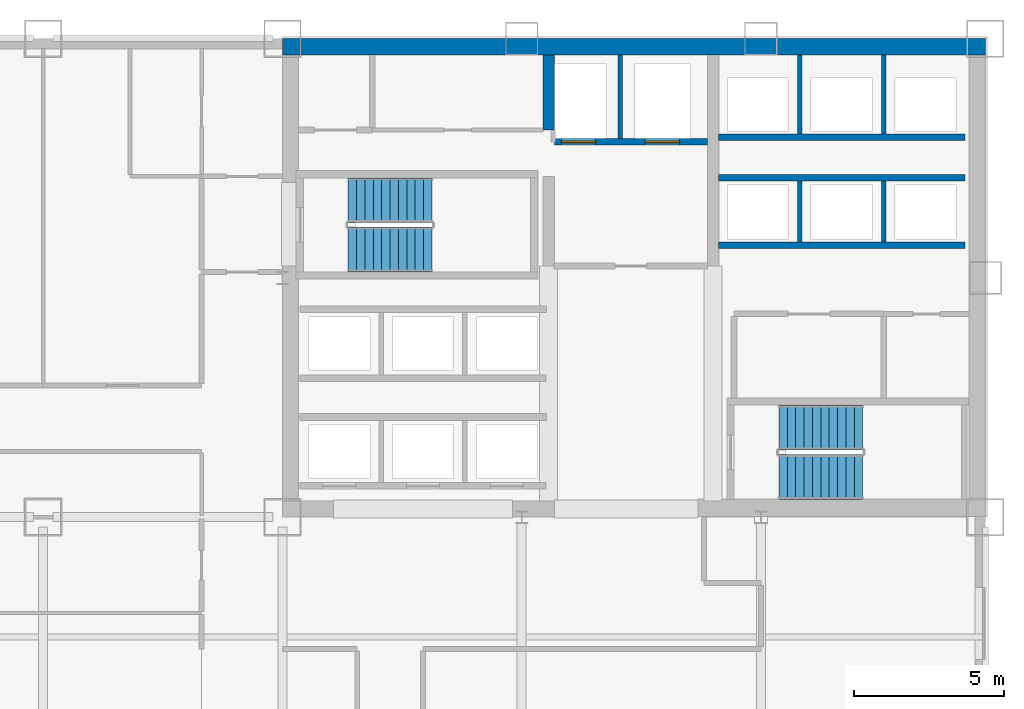
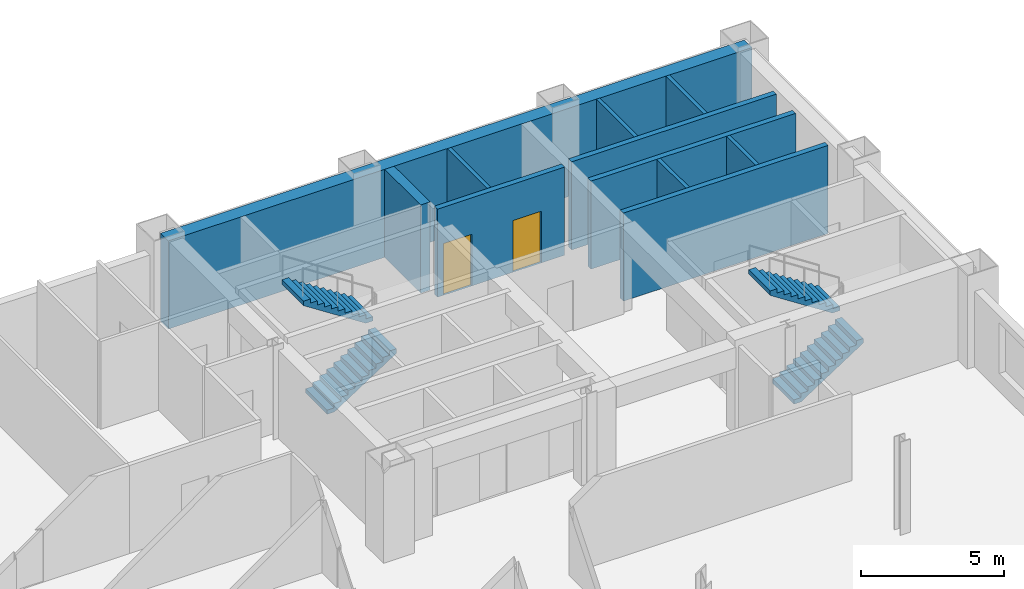
# One storey, part 7 of 9: 11 walls, 4 stair flights, 2 doors, 2 openings, 2 elements without a shape of their own.
"""IFC4 building model written with IfcOpenShell, lengths in metres."""

from ifc_helpers import new_model, si_unit, direction, frame, frame_2d, origin, place, context, subcontext, project, spatial, polyline, rectangle, outline, extrude, material, layer, layer_set, type_object, element, fill, aggregate, save


model = new_model("IFC4")

# Units and contexts
model_context = context("Model", 3, precision=1e-05, world=origin(), true_north=direction((0.0, 1.0)))
body_context = subcontext(model_context, "Body", "Model", "MODEL_VIEW")
ifc_project = project(units=[si_unit("LENGTHUNIT", "METRE"), si_unit("AREAUNIT", "SQUARE_METRE"), si_unit("VOLUMEUNIT", "CUBIC_METRE"), si_unit("PLANEANGLEUNIT", "RADIAN"), si_unit("MASSUNIT", "GRAM", prefix="KILO")], contexts=[model_context])

# Site, building, storey
site_placement = place(None, origin())
site = spatial("IfcSite", under=ifc_project, at=site_placement, CompositionType="ELEMENT")
building_placement = place(site_placement, origin())
building = spatial("IfcBuilding", under=site, at=building_placement, Name="Qianrong Seaharbour Tower", CompositionType="ELEMENT")
storey_placement = place(building_placement, frame((0.0, 0.0, 48.199951171875)))
storey = spatial("IfcBuildingStorey", under=building, at=storey_placement, Name="L11", CompositionType="ELEMENT", Elevation=48.199951171875)

# Walls
ifc_material_1 = material(Name="Concrete C70/85", Category="concrete")
ifc_layer_1 = layer(ifc_material_1, 0.5400390625)
ifc_layer_set_1 = layer_set([ifc_layer_1], Name="Concrete C70/85")
wall_type_1 = type_object("IfcWallType", Name="WALL-CORE-540", PredefinedType="SHEAR", material=ifc_layer_set_1)
wall_1_placement = place(storey_placement, frame((40.5, 51.72998046875, 0.0), z_axis=(0.0, 0.0, 1.0), x_axis=(1.0, 0.0, 0.0)))
element("IfcWall", 1, at=wall_1_placement, inside=storey, type_object=wall_type_1, Name="L11 North Core Shear Wall", PredefinedType="SHEAR", context=body_context, shape_type="SweptSolid", body=[
    extrude(rectangle(XDim=23.5, YDim=0.5400390625, at=frame_2d((11.75, 0.0))), origin(), (0.0, 0.0, 1.0), 3.75),
])
ifc_material_2 = material(Name="Concrete C60/75", Category="concrete")
ifc_layer_2 = layer(ifc_material_2, 0.3798828125)
ifc_layer_set_2 = layer_set([ifc_layer_2], Name="Concrete C60/75")
wall_type_2 = type_object("IfcWallType", Name="WALL-CORE-INT-380", PredefinedType="SHEAR", material=ifc_layer_set_2)
wall_2_placement = place(storey_placement, frame((49.39990234375, 48.949951171875, 0.0), z_axis=(0.0, 0.0, 1.0), x_axis=(0.0, 1.0, 0.0)))
element("IfcWall", 2, at=wall_2_placement, inside=storey, type_object=wall_type_2, Name="L11 Internal Core Shear Wall IW1N2", PredefinedType="SHEAR", context=body_context, shape_type="SweptSolid", body=[
    extrude(rectangle(XDim=2.510009765625, YDim=0.3798828125, at=frame_2d((1.2548828125, 0.0))), origin(), (0.0, 0.0, 1.0), 3.75),
])
ifc_material_3 = material(Name="Fire-rated gypsum board on steel studs", Category="steel")
ifc_layer_3 = layer(ifc_material_3, 0.14990234375)
ifc_layer_set_3 = layer_set([ifc_layer_3], Name="Fire-rated gypsum board on steel studs")
wall_type_3 = type_object("IfcWallType", Name="WALL-SHAFT-DIV-150", PredefinedType="PARTITIONING", material=ifc_layer_set_3)
wall_3_placement = place(storey_placement, frame((51.800048828125, 48.669921875, 0.0), z_axis=(0.0, 0.0, 1.0), x_axis=(0.0, 1.0, 0.0)))
element("IfcWall", 3, at=wall_3_placement, inside=storey, type_object=wall_type_3, Name="L11 Firefighting Lift Shaft Divider Wall", PredefinedType="PARTITIONING", context=body_context, shape_type="SweptSolid", body=[
    extrude(rectangle(XDim=2.7900390625, YDim=0.14990234375, at=frame_2d((1.39501953125, 0.0))), origin(), (0.0, 0.0, 1.0), 3.75),
])
for number, where, z_axis, x_axis, name in (
    (4, (57.800048828125, 45.2099609375, 0.0), (0.0, 0.0, 1.0), (0.0, 1.0, 0.0), "L11 P3 Lift Hoistway Divider 2"),
    (5, (60.60009765625, 45.2099609375, 0.0), (0.0, 0.0, 1.0), (0.0, 1.0, 0.0), "L11 P3 Lift Hoistway Divider 3"),
):
    element("IfcWall", number, at=place(storey_placement, frame(where, z_axis=z_axis, x_axis=x_axis)), inside=storey, type_object=wall_type_3, Name=name, PredefinedType="PARTITIONING", context=body_context, shape_type="SweptSolid", body=[
        extrude(rectangle(XDim=2.030029296875, YDim=0.14990234375, at=frame_2d((1.01513671875, 0.0))), origin(), (0.0, 0.0, 1.0), 3.75),
    ])
for number, where, z_axis, x_axis, name in (
    (6, (57.800048828125, 48.81005859375, 0.0), (0.0, 0.0, 1.0), (0.0, 1.0, 0.0), "L11 P4 Lift Hoistway Divider 2"),
    (7, (60.60009765625, 48.81005859375, 0.0), (0.0, 0.0, 1.0), (0.0, 1.0, 0.0), "L11 P4 Lift Hoistway Divider 3"),
):
    element("IfcWall", number, at=place(storey_placement, frame(where, z_axis=z_axis, x_axis=x_axis)), inside=storey, type_object=wall_type_3, Name=name, PredefinedType="PARTITIONING", context=body_context, shape_type="SweptSolid", body=[
        extrude(rectangle(XDim=2.64990234375, YDim=0.14990234375, at=frame_2d((1.324951171875, 0.0))), origin(), (0.0, 0.0, 1.0), 3.75),
    ])

# Wall, openings, doors
ifc_layer_4 = layer(ifc_material_3, 0.219970703125)
ifc_layer_set_4 = layer_set([ifc_layer_4], Name="Fire-rated gypsum board on steel studs")
wall_type_4 = type_object("IfcWallType", Name="WALL-SHAFT-GYP220", PredefinedType="PARTITIONING", material=ifc_layer_set_4)
wall_4_placement = place(storey_placement, frame((54.7099609375, 48.550048828125, 0.0), z_axis=(0.0, 0.0, 1.0), x_axis=(-1.0, 0.0, 0.0)))
wall_4 = element("IfcWall", 8, at=wall_4_placement, inside=storey, type_object=wall_type_4, Name="L11 Firefighting Lift Shaft Front Wall", PredefinedType="PARTITIONING", context=body_context, shape_type="SweptSolid", body=[
    extrude(rectangle(XDim=5.119873046875, YDim=0.219970703125, at=frame_2d((2.56005859375, 0.0))), origin(), (0.0, 0.0, 1.0), 3.75),
])
opening_1_placement = place(wall_4_placement, frame((3.735107421875, 0.0, 0.0)))
opening_1 = element("IfcOpeningElement", 9, at=opening_1_placement, cuts=wall_4, Name="Opening LD-01", PredefinedType="OPENING", context=body_context, shape_type="SweptSolid", body=[
    extrude(rectangle(XDim=1.14990234375, YDim=2.199951171875, at=frame_2d((0.574951171875, 1.10009765625))), frame((0.0, 0.1201171875, 0.0), z_axis=(0.0, -1.0, 0.0), x_axis=(1.0, 0.0, 0.0)), (0.0, 0.0, 1.0), 0.239990234375),
])
opening_2_placement = place(wall_4_placement, frame((0.93505859375, 0.0, 0.0)))
opening_2 = element("IfcOpeningElement", 10, at=opening_2_placement, cuts=wall_4, Name="Opening LD-01", PredefinedType="OPENING", context=body_context, shape_type="SweptSolid", body=[
    extrude(rectangle(XDim=1.14990234375, YDim=2.199951171875, at=frame_2d((0.574951171875, 1.10009765625))), frame((0.0, 0.1201171875, 0.0), z_axis=(0.0, -1.0, 0.0), x_axis=(1.0, 0.0, 0.0)), (0.0, 0.0, 1.0), 0.239990234375),
])
ifc_material_4 = material(Name="Stainless steel SUS316L bi-parting lift landing door", Category="steel")
door_type = type_object("IfcDoorType", Name="DOOR-LIFT-FF-1150x2200", OperationType="DOUBLE_DOOR_SLIDING", PredefinedType="DOOR", material=ifc_material_4)
door_1_placement = place(opening_1_placement, origin())
door_1 = element("IfcDoor", 11, at=door_1_placement, inside=storey, type_object=door_type, Name="L11 FL-1 Firefighting Lift Landing Door", OperationType="DOUBLE_DOOR_SLIDING", OverallHeight=2.199951171875, OverallWidth=1.14990234375, PredefinedType="DOOR", context=body_context, shape_type="SweptSolid", body=[
    extrude(rectangle(XDim=1.14990234375, YDim=2.199951171875, at=frame_2d((0.574951171875, 1.10009765625))), frame((0.0, 0.02490234375, 0.0), z_axis=(0.0, -1.0, 0.0), x_axis=(1.0, 0.0, 0.0)), (0.0, 0.0, 1.0), 0.050048828125),
])
fill(opening_1, door_1)
door_2_placement = place(opening_2_placement, origin())
door_2 = element("IfcDoor", 12, at=door_2_placement, inside=storey, type_object=door_type, Name="L11 FL-2 Firefighting Lift Landing Door", OperationType="DOUBLE_DOOR_SLIDING", OverallHeight=2.199951171875, OverallWidth=1.14990234375, PredefinedType="DOOR", context=body_context, shape_type="SweptSolid", body=[
    extrude(rectangle(XDim=1.14990234375, YDim=2.199951171875, at=frame_2d((0.574951171875, 1.10009765625))), frame((0.0, 0.02490234375, 0.0), z_axis=(0.0, -1.0, 0.0), x_axis=(1.0, 0.0, 0.0)), (0.0, 0.0, 1.0), 0.050048828125),
])
fill(opening_2, door_2)

# Walls
for number, where, z_axis, x_axis, name in (
    (13, (63.320068359375, 45.10009765625, 0.0), (0.0, 0.0, 1.0), (-1.0, 0.0, 0.0), "L11 P3 Lift Hoistway Front Wall"),
    (14, (55.080078125, 47.35009765625, 0.0), (0.0, 0.0, 1.0), (1.0, 0.0, 0.0), "L11 P3 Lift Hoistway Back Wall"),
    (15, (63.320068359375, 48.699951171875, 0.0), (0.0, 0.0, 1.0), (-1.0, 0.0, 0.0), "L11 P4 Lift Hoistway Front Wall"),
):
    element("IfcWall", number, at=place(storey_placement, frame(where, z_axis=z_axis, x_axis=x_axis)), inside=storey, type_object=wall_type_4, Name=name, PredefinedType="PARTITIONING", context=body_context, shape_type="SweptSolid", body=[
        extrude(rectangle(XDim=8.239990234375, YDim=0.219970703125, at=frame_2d((4.1201171875, 0.0))), origin(), (0.0, 0.0, 1.0), 3.75),
    ])

# Stair, stair flights
ifc_material_5 = material(Name="Concrete C50/60", Category="concrete")
stair_type = type_object("IfcStairType", Name="STAIR-DOGLEG-1500-R22", PredefinedType="HALF_TURN_STAIR", material=ifc_material_5)
stair_1_placement = place(storey_placement, origin())
stair_1 = element("IfcStair", 16, at=stair_1_placement, inside=storey, type_object=stair_type, Name="L11 Protected Escape Stair ST-1", PredefinedType="HALF_TURN_STAIR")
stair_flight_type = type_object("IfcStairFlightType", Name="FLIGHT-STR-1500-R22", PredefinedType="STRAIGHT", material=ifc_material_5)
stair_flight_1_placement = place(storey_placement, frame((42.699951171875, 44.949951171875, 0.0), z_axis=(0.0, 0.0, 1.0), x_axis=(1.0, 0.0, 0.0)))
stair_flight_1 = element("IfcStairFlight", 17, at=stair_flight_1_placement, type_object=stair_flight_type, Name="ST-1 flight 1", NumberOfRisers=11, NumberOfTreads=10, PredefinedType="STRAIGHT", RiserHeight=0.181818182, TreadLength=0.28, context=body_context, shape_type="SweptSolid", body=[
    extrude(outline(polyline([(0.0, 0.0), (0.0, 0.181884765625), (0.280029296875, 0.181884765625), (0.280029296875, 0.363525390625), (0.56005859375, 0.363525390625), (0.56005859375, 0.54541015625), (0.840087890625, 0.54541015625), (0.840087890625, 0.727294921875), (1.1201171875, 0.727294921875), (1.1201171875, 0.9091796875), (1.39990234375, 0.9091796875), (1.39990234375, 1.0908203125), (1.679931640625, 1.0908203125), (1.679931640625, 1.272705078125), (1.9599609375, 1.272705078125), (1.9599609375, 1.45458984375), (2.239990234375, 1.45458984375), (2.239990234375, 1.636474609375), (2.52001953125, 1.636474609375), (2.52001953125, 1.818115234375), (2.800048828125, 1.818115234375), (2.800048828125, 2.0), (2.800048828125, 1.62744140625), (0.293701171875, 0.0), (0.0, 0.0)])), frame((0.0, 0.75, 0.0), z_axis=(0.0, -1.0, 0.0), x_axis=(1.0, 0.0, 0.0)), (0.0, 0.0, 1.0), 1.5),
])
stair_flight_2_placement = place(storey_placement, frame((45.5, 46.60009765625, 2.0), z_axis=(0.0, 0.0, 1.0), x_axis=(-1.0, 0.0, 0.0)))
stair_flight_2 = element("IfcStairFlight", 18, at=stair_flight_2_placement, type_object=stair_flight_type, Name="ST-1 flight 2", NumberOfRisers=11, NumberOfTreads=10, PredefinedType="STRAIGHT", RiserHeight=0.181818182, TreadLength=0.28, context=body_context, shape_type="SweptSolid", body=[
    extrude(outline(polyline([(0.0, 0.0), (0.0, 0.181884765625), (0.280029296875, 0.181884765625), (0.280029296875, 0.363525390625), (0.56005859375, 0.363525390625), (0.56005859375, 0.54541015625), (0.840087890625, 0.54541015625), (0.840087890625, 0.727294921875), (1.1201171875, 0.727294921875), (1.1201171875, 0.9091796875), (1.39990234375, 0.9091796875), (1.39990234375, 1.0908203125), (1.679931640625, 1.0908203125), (1.679931640625, 1.272705078125), (1.9599609375, 1.272705078125), (1.9599609375, 1.45458984375), (2.239990234375, 1.45458984375), (2.239990234375, 1.636474609375), (2.52001953125, 1.636474609375), (2.52001953125, 1.818115234375), (2.800048828125, 1.818115234375), (2.800048828125, 2.0), (2.800048828125, 1.62744140625), (0.293701171875, 0.0), (0.0, 0.0)])), frame((0.0, 0.75, 0.0), z_axis=(0.0, -1.0, 0.0), x_axis=(1.0, 0.0, 0.0)), (0.0, 0.0, 1.0), 1.5),
])
aggregate(stair_1, [stair_flight_1, stair_flight_2])

stair_2_placement = place(storey_placement, origin())
stair_2 = element("IfcStair", 19, at=stair_2_placement, inside=storey, type_object=stair_type, Name="L11 Protected Escape Stair ST-2", PredefinedType="HALF_TURN_STAIR")
stair_flight_3_placement = place(storey_placement, frame((57.10009765625, 37.35009765625, 0.0), z_axis=(0.0, 0.0, 1.0), x_axis=(1.0, 0.0, 0.0)))
stair_flight_3 = element("IfcStairFlight", 20, at=stair_flight_3_placement, type_object=stair_flight_type, Name="ST-2 flight 1", NumberOfRisers=11, NumberOfTreads=10, PredefinedType="STRAIGHT", RiserHeight=0.181818182, TreadLength=0.28, context=body_context, shape_type="SweptSolid", body=[
    extrude(outline(polyline([(0.0, 0.0), (0.0, 0.181884765625), (0.280029296875, 0.181884765625), (0.280029296875, 0.363525390625), (0.56005859375, 0.363525390625), (0.56005859375, 0.54541015625), (0.840087890625, 0.54541015625), (0.840087890625, 0.727294921875), (1.1201171875, 0.727294921875), (1.1201171875, 0.9091796875), (1.39990234375, 0.9091796875), (1.39990234375, 1.0908203125), (1.679931640625, 1.0908203125), (1.679931640625, 1.272705078125), (1.9599609375, 1.272705078125), (1.9599609375, 1.45458984375), (2.239990234375, 1.45458984375), (2.239990234375, 1.636474609375), (2.52001953125, 1.636474609375), (2.52001953125, 1.818115234375), (2.800048828125, 1.818115234375), (2.800048828125, 2.0), (2.800048828125, 1.62744140625), (0.293701171875, 0.0), (0.0, 0.0)])), frame((0.0, 0.75, 0.0), z_axis=(0.0, -1.0, 0.0), x_axis=(1.0, 0.0, 0.0)), (0.0, 0.0, 1.0), 1.5),
])
stair_flight_4_placement = place(storey_placement, frame((59.89990234375, 39.0, 2.0), z_axis=(0.0, 0.0, 1.0), x_axis=(-1.0, 0.0, 0.0)))
stair_flight_4 = element("IfcStairFlight", 21, at=stair_flight_4_placement, type_object=stair_flight_type, Name="ST-2 flight 2", NumberOfRisers=11, NumberOfTreads=10, PredefinedType="STRAIGHT", RiserHeight=0.181818182, TreadLength=0.28, context=body_context, shape_type="SweptSolid", body=[
    extrude(outline(polyline([(0.0, 0.0), (0.0, 0.181884765625), (0.280029296875, 0.181884765625), (0.280029296875, 0.363525390625), (0.56005859375, 0.363525390625), (0.56005859375, 0.54541015625), (0.840087890625, 0.54541015625), (0.840087890625, 0.727294921875), (1.1201171875, 0.727294921875), (1.1201171875, 0.9091796875), (1.39990234375, 0.9091796875), (1.39990234375, 1.0908203125), (1.679931640625, 1.0908203125), (1.679931640625, 1.272705078125), (1.9599609375, 1.272705078125), (1.9599609375, 1.45458984375), (2.239990234375, 1.45458984375), (2.239990234375, 1.636474609375), (2.52001953125, 1.636474609375), (2.52001953125, 1.818115234375), (2.800048828125, 1.818115234375), (2.800048828125, 2.0), (2.800048828125, 1.62744140625), (0.293701171875, 0.0), (0.0, 0.0)])), frame((0.0, 0.75, 0.0), z_axis=(0.0, -1.0, 0.0), x_axis=(1.0, 0.0, 0.0)), (0.0, 0.0, 1.0), 1.5),
])
aggregate(stair_2, [stair_flight_3, stair_flight_4])

save(model, "model.ifc")
